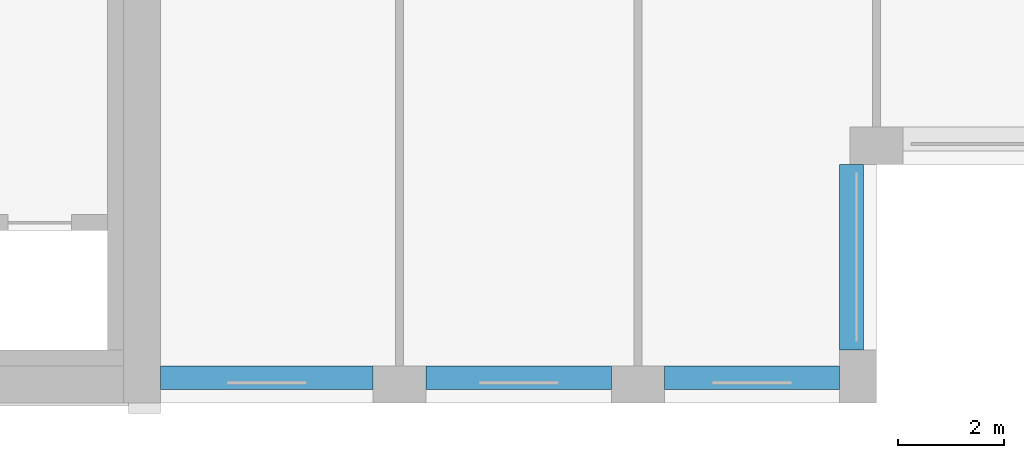
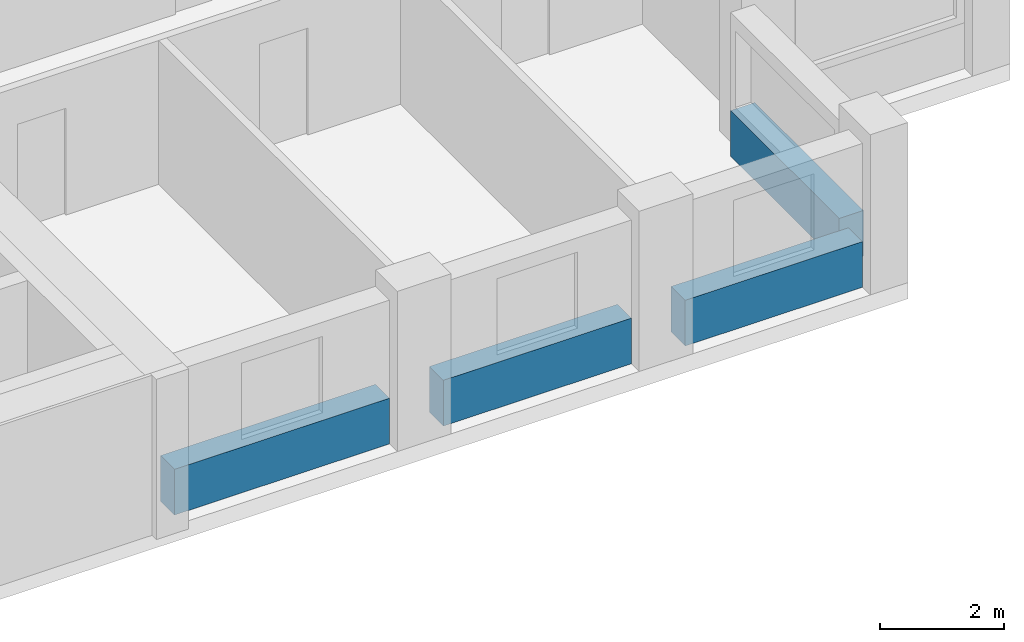
# One storey, part 3 of 15: 4 beams.
"""IFC4 building model written with IfcOpenShell, lengths in metres."""

from ifc_helpers import new_model, si_unit, direction, frame, origin, origin_2d, place, context, subcontext, project, spatial, rectangle, extrude, material, material_profile, profile_set, type_object, element, save


model = new_model("IFC4")

# Units and contexts
model_context = context("Model", 3, precision=1e-05, world=origin(), true_north=direction((0.0, 1.0)))
body_context = subcontext(model_context, "Body", "Model", "MODEL_VIEW")
ifc_project = project(units=[si_unit("LENGTHUNIT", "METRE"), si_unit("AREAUNIT", "SQUARE_METRE"), si_unit("VOLUMEUNIT", "CUBIC_METRE"), si_unit("PLANEANGLEUNIT", "RADIAN"), si_unit("MASSUNIT", "GRAM", prefix="KILO")], contexts=[model_context])

# Site, building, storey
site_placement = place(None, origin())
site = spatial("IfcSite", under=ifc_project, at=site_placement, CompositionType="ELEMENT")
building_placement = place(site_placement, origin())
building = spatial("IfcBuilding", under=site, at=building_placement, Name="Brigalow Station Residences", CompositionType="ELEMENT")
storey_placement = place(building_placement, frame((0.0, 0.0, 175.949951171875)))
storey = spatial("IfcBuildingStorey", under=building, at=storey_placement, Name="L51", CompositionType="ELEMENT", Elevation=175.949951171875)

# Beams
ifc_material = material(Name="Concrete C50", Category="concrete")
ifc_material_profile = material_profile(ifc_material, rectangle(XDim=0.449951171875, YDim=0.89990234375, at=origin_2d()), Name="RC450x900")
ifc_profile_set = profile_set([ifc_material_profile], Name="Concrete C50")
beam_type = type_object("IfcBeamType", Name="SPANDREL BEAM 450x900 C50", PredefinedType="SPANDREL", material=ifc_profile_set)
beam_1_placement = place(storey_placement, frame((54.0, 0.47509765625, 0.449951171875), z_axis=(1.0, 0.0, 0.0), x_axis=(0.0, 1.0, 0.0)))
element("IfcBeam", 1, at=beam_1_placement, inside=storey, type_object=beam_type, Name="L51/spandrel/W-L51-4", PredefinedType="SPANDREL", context=body_context, shape_type="SweptSolid", body=[
    extrude(rectangle(XDim=0.449951171875, YDim=0.89990234375, at=origin_2d()), origin(), (0.0, 0.0, 1.0), 4.0),
])
beam_2_placement = place(storey_placement, frame((59.0, 0.47509765625, 0.449951171875), z_axis=(1.0, 0.0, 0.0), x_axis=(0.0, 1.0, 0.0)))
element("IfcBeam", 2, at=beam_2_placement, inside=storey, type_object=beam_type, Name="L51/spandrel/W-L51-5", PredefinedType="SPANDREL", context=body_context, shape_type="SweptSolid", body=[
    extrude(rectangle(XDim=0.449951171875, YDim=0.89990234375, at=origin_2d()), origin(), (0.0, 0.0, 1.0), 3.5),
])
beam_3_placement = place(storey_placement, frame((63.5, 0.47509765625, 0.449951171875), z_axis=(1.0, 0.0, 0.0), x_axis=(0.0, 1.0, 0.0)))
element("IfcBeam", 3, at=beam_3_placement, inside=storey, type_object=beam_type, Name="L51/spandrel/W-L51-6", PredefinedType="SPANDREL", context=body_context, shape_type="SweptSolid", body=[
    extrude(rectangle(XDim=0.449951171875, YDim=0.89990234375, at=origin_2d()), origin(), (0.0, 0.0, 1.0), 3.300048828125),
])
beam_4_placement = place(storey_placement, frame((67.02490234375, 1.0, 0.449951171875), z_axis=(0.0, 1.0, 0.0), x_axis=(-1.0, 0.0, 0.0)))
element("IfcBeam", 4, at=beam_4_placement, inside=storey, type_object=beam_type, Name="L51/spandrel/W-L51-7", PredefinedType="SPANDREL", context=body_context, shape_type="SweptSolid", body=[
    extrude(rectangle(XDim=0.449951171875, YDim=0.89990234375, at=origin_2d()), origin(), (0.0, 0.0, 1.0), 3.5),
])

save(model, "model.ifc")
